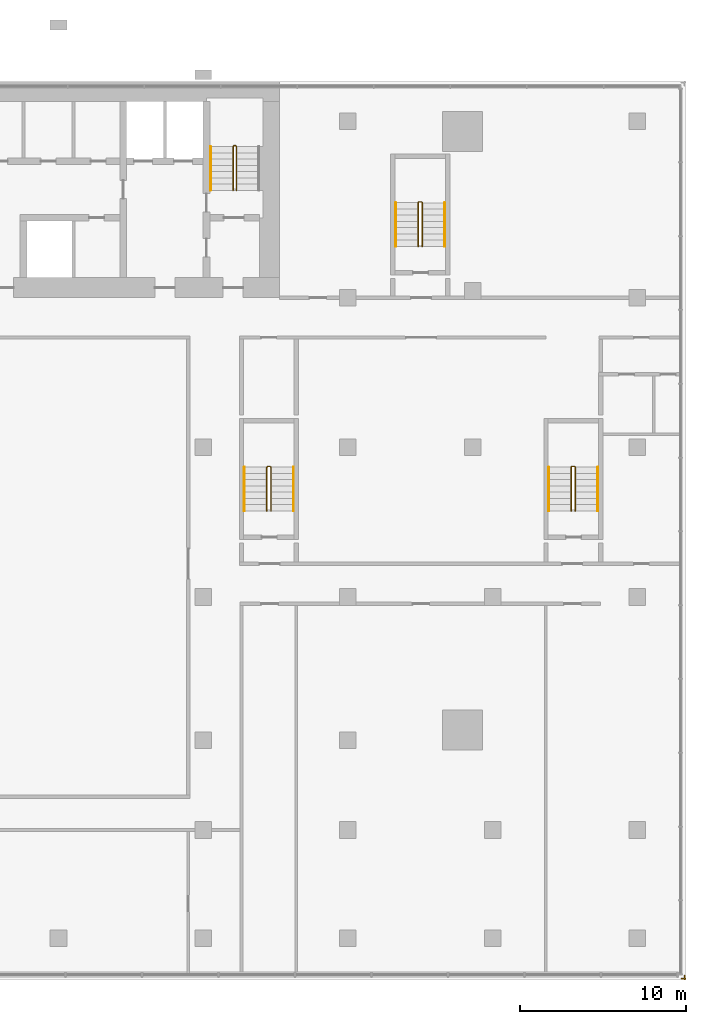
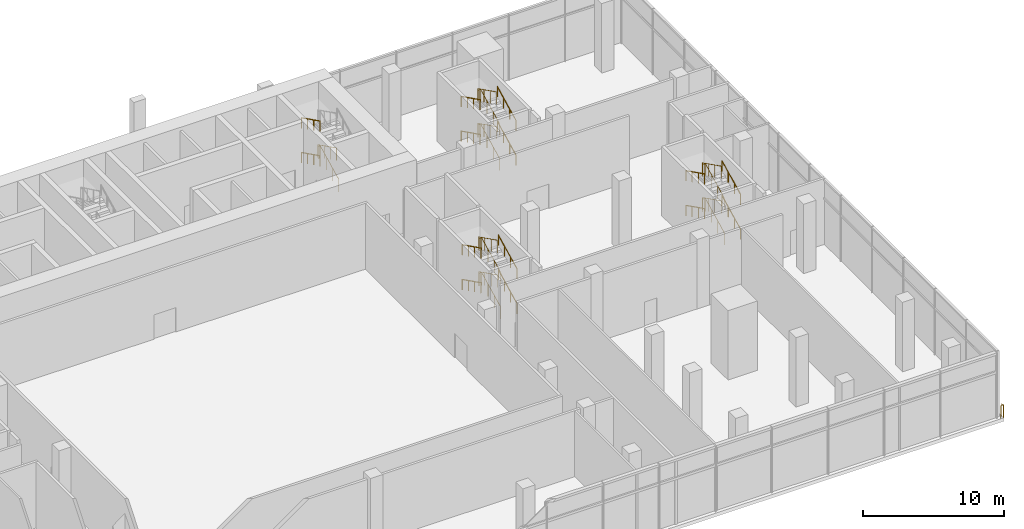
# One storey, part 20 of 21: 22 railings.
"""IFC4 building model written with IfcOpenShell, lengths in metres."""

from ifc_helpers import new_model, si_unit, direction, frame, origin, origin_2d, place, context, subcontext, project, spatial, circle, extrude, material, type_object, element, save


model = new_model("IFC4")

# Units and contexts
model_context = context("Model", 3, precision=1e-05, world=origin(), true_north=direction((0.0, 1.0)))
body_context = subcontext(model_context, "Body", "Model", "MODEL_VIEW")
ifc_project = project(units=[si_unit("LENGTHUNIT", "METRE"), si_unit("AREAUNIT", "SQUARE_METRE"), si_unit("VOLUMEUNIT", "CUBIC_METRE"), si_unit("PLANEANGLEUNIT", "RADIAN"), si_unit("MASSUNIT", "GRAM", prefix="KILO")], contexts=[model_context])

# Site, building, storey
site_placement = place(None, origin())
site = spatial("IfcSite", under=ifc_project, at=site_placement, CompositionType="ELEMENT")
building_placement = place(site_placement, origin())
building = spatial("IfcBuilding", under=site, at=building_placement, Name="Bicima Exchange Tower", CompositionType="ELEMENT")
storey_placement = place(building_placement, frame((0.0, 0.0, 8.0)))
storey = spatial("IfcBuildingStorey", under=building, at=storey_placement, Name="L01", CompositionType="ELEMENT", Elevation=8.0)

# Railings
ifc_material_1 = material(Name="Stainless steel and bonded safety glass", Category="steel")
railing_type_1 = type_object("IfcRailingType", Name="Edge guard 1100", PredefinedType="GUARDRAIL", material=ifc_material_1)
railing_1_placement = place(storey_placement, frame((46.35009765625, -53.75, 0.0)))
element("IfcRailing", 1, at=railing_1_placement, inside=storey, type_object=railing_type_1, Name="Edge guard L01 3", PredefinedType="GUARDRAIL", context=body_context, shape_type="SweptSolid", body=[
    extrude(circle(Radius=0.02392578125, at=origin_2d()), frame((0.0, 0.0, 1.076171875), z_axis=(0.0, -1.0, 0.0), x_axis=(1.0, 0.0, 0.0)), (0.0, 0.0, 1.0), 0.25),
    extrude(circle(Radius=0.02392578125, at=origin_2d()), frame((0.0, -0.25, 1.076171875), z_axis=(0.705375805398, 0.708833529934, 0.0), x_axis=(-0.708833529934, 0.705375805398, 0.0)), (0.0, 0.0, 1.0), 0.070556640625),
    extrude(circle(Radius=0.02392578125, at=origin_2d()), frame((0.0498046875, -0.199951171875, 1.076171875), z_axis=(-1.0, 0.0, 0.0), x_axis=(0.0, -1.0, 0.0)), (0.0, 0.0, 1.0), 0.2490234375),
    extrude(circle(Radius=0.02099609375, at=origin_2d()), origin(), (0.0, 0.0, 1.0), 1.052001953125),
    extrude(circle(Radius=0.02099609375, at=origin_2d()), frame((0.0, -0.25, 0.0)), (0.0, 0.0, 1.0), 1.052001953125),
    extrude(circle(Radius=0.02099609375, at=origin_2d()), frame((0.0498046875, -0.199951171875, 0.0)), (0.0, 0.0, 1.0), 1.052001953125),
    extrude(circle(Radius=0.02099609375, at=origin_2d()), frame((-0.19921875, -0.199951171875, 0.0)), (0.0, 0.0, 1.0), 1.052001953125),
])
ifc_material_2 = material(Name="Stainless steel", Category="steel")
railing_type_2 = type_object("IfcRailingType", Name="Stair guard 1100", PredefinedType="GUARDRAIL", material=ifc_material_2)
railing_2_placement = place(storey_placement, frame((19.39990234375, -6.550048828125, 0.1875)))
element("IfcRailing", 2, at=railing_2_placement, inside=storey, type_object=railing_type_2, Name="L01 ST-E stair guard 1", PredefinedType="GUARDRAIL", context=body_context, shape_type="SweptSolid", body=[
    extrude(circle(Radius=0.02392578125, at=origin_2d()), frame((0.0, 0.0, 1.076171875), z_axis=(0.0, 0.894775759346, 0.446515778543), x_axis=(-1.0, 0.0, 0.0)), (0.0, 0.0, 1.0), 2.939453125),
    extrude(circle(Radius=0.02392578125, at=origin_2d()), frame((0.0, 2.630126953125, 2.388671875), z_axis=(-0.707106781187, 0.707106781187, 0.0), x_axis=(-0.707106781187, -0.707106781187, 0.0)), (0.0, 0.0, 1.0), 0.0703125),
    extrude(circle(Radius=0.02392578125, at=origin_2d()), frame((-0.0498046875, 2.679931640625, 2.388671875), z_axis=(-1.0, 0.0, 0.0), x_axis=(0.0, -1.0, 0.0)), (0.0, 0.0, 1.0), 0.10009765625),
    extrude(circle(Radius=0.02392578125, at=origin_2d()), frame((-0.14990234375, 2.679931640625, 2.388671875), z_axis=(-0.249802250048, -0.248583702486, 0.935844527007), x_axis=(0.705375805398, -0.708833529934, 0.0)), (0.0, 0.0, 1.0), 0.200439453125),
    extrude(circle(Radius=0.02392578125, at=origin_2d()), frame((-0.199951171875, 2.630126953125, 2.576171875), z_axis=(0.0, -0.894775759346, 0.446515778543), x_axis=(1.0, 0.0, 0.0)), (0.0, 0.0, 1.0), 2.939453125),
    extrude(circle(Radius=0.02099609375, at=origin_2d()), origin(), (0.0, 0.0, 1.0), 1.052001953125),
    extrude(circle(Radius=0.02099609375, at=origin_2d()), frame((0.0, 0.876708984375, 0.4375)), (0.0, 0.0, 1.0), 1.052001953125),
    extrude(circle(Radius=0.02099609375, at=origin_2d()), frame((0.0, 1.75341796875, 0.875)), (0.0, 0.0, 1.0), 1.052001953125),
    extrude(circle(Radius=0.02099609375, at=origin_2d()), frame((0.0, 2.630126953125, 1.3125)), (0.0, 0.0, 1.0), 1.052001953125),
    extrude(circle(Radius=0.02099609375, at=origin_2d()), frame((-0.0498046875, 2.679931640625, 1.3125)), (0.0, 0.0, 1.0), 1.052001953125),
    extrude(circle(Radius=0.02099609375, at=origin_2d()), frame((-0.14990234375, 2.679931640625, 1.3125)), (0.0, 0.0, 1.0), 1.052001953125),
    extrude(circle(Radius=0.02099609375, at=origin_2d()), frame((-0.199951171875, 2.630126953125, 1.5)), (0.0, 0.0, 1.0), 1.052001953125),
    extrude(circle(Radius=0.02099609375, at=origin_2d()), frame((-0.199951171875, 1.75341796875, 1.9375)), (0.0, 0.0, 1.0), 1.052001953125),
    extrude(circle(Radius=0.02099609375, at=origin_2d()), frame((-0.199951171875, 0.876708984375, 2.375)), (0.0, 0.0, 1.0), 1.052001953125),
    extrude(circle(Radius=0.02099609375, at=origin_2d()), frame((-0.199951171875, 0.0, 2.8125)), (0.0, 0.0, 1.0), 1.052001953125),
])
railing_3_placement = place(storey_placement, frame((30.574951171875, -9.925048828125, 0.1875)))
element("IfcRailing", 3, at=railing_3_placement, inside=storey, type_object=railing_type_2, Name="L01 ST-EE stair guard 1", PredefinedType="GUARDRAIL", context=body_context, shape_type="SweptSolid", body=[
    extrude(circle(Radius=0.02392578125, at=origin_2d()), frame((0.0, 0.0, 1.076171875), z_axis=(0.0, 0.894775759346, 0.446515778543), x_axis=(-1.0, 0.0, 0.0)), (0.0, 0.0, 1.0), 2.939453125),
    extrude(circle(Radius=0.02392578125, at=origin_2d()), frame((0.0, 2.630126953125, 2.388671875), z_axis=(-0.708833529934, 0.705375805398, 0.0), x_axis=(-0.705375805398, -0.708833529934, 0.0)), (0.0, 0.0, 1.0), 0.070556640625),
    extrude(circle(Radius=0.02392578125, at=origin_2d()), frame((-0.050048828125, 2.679931640625, 2.388671875), z_axis=(-1.0, 0.0, 0.0), x_axis=(0.0, -1.0, 0.0)), (0.0, 0.0, 1.0), 0.14990234375),
    extrude(circle(Radius=0.02392578125, at=origin_2d()), frame((-0.199951171875, 2.679931640625, 2.388671875), z_axis=(-0.249802250048, -0.248583702486, 0.935844527007), x_axis=(0.705375805398, -0.708833529934, 0.0)), (0.0, 0.0, 1.0), 0.200439453125),
    extrude(circle(Radius=0.02392578125, at=origin_2d()), frame((-0.25, 2.630126953125, 2.576171875), z_axis=(0.0, -0.894775759346, 0.446515778543), x_axis=(1.0, 0.0, 0.0)), (0.0, 0.0, 1.0), 2.939453125),
    extrude(circle(Radius=0.02099609375, at=origin_2d()), origin(), (0.0, 0.0, 1.0), 1.052001953125),
    extrude(circle(Radius=0.02099609375, at=origin_2d()), frame((0.0, 0.876708984375, 0.4375)), (0.0, 0.0, 1.0), 1.052001953125),
    extrude(circle(Radius=0.02099609375, at=origin_2d()), frame((0.0, 1.75341796875, 0.875)), (0.0, 0.0, 1.0), 1.052001953125),
    extrude(circle(Radius=0.02099609375, at=origin_2d()), frame((0.0, 2.630126953125, 1.3125)), (0.0, 0.0, 1.0), 1.052001953125),
    extrude(circle(Radius=0.02099609375, at=origin_2d()), frame((-0.050048828125, 2.679931640625, 1.3125)), (0.0, 0.0, 1.0), 1.052001953125),
    extrude(circle(Radius=0.02099609375, at=origin_2d()), frame((-0.199951171875, 2.679931640625, 1.3125)), (0.0, 0.0, 1.0), 1.052001953125),
    extrude(circle(Radius=0.02099609375, at=origin_2d()), frame((-0.25, 2.630126953125, 1.5)), (0.0, 0.0, 1.0), 1.052001953125),
    extrude(circle(Radius=0.02099609375, at=origin_2d()), frame((-0.25, 1.75341796875, 1.9375)), (0.0, 0.0, 1.0), 1.052001953125),
    extrude(circle(Radius=0.02099609375, at=origin_2d()), frame((-0.25, 0.876708984375, 2.375)), (0.0, 0.0, 1.0), 1.052001953125),
    extrude(circle(Radius=0.02099609375, at=origin_2d()), frame((-0.25, 0.0, 2.8125)), (0.0, 0.0, 1.0), 1.052001953125),
])
railing_4_placement = place(storey_placement, frame((30.574951171875, -9.925048828125, 3.1875)))
element("IfcRailing", 4, at=railing_4_placement, inside=storey, type_object=railing_type_2, Name="L01 ST-EE stair guard 2", PredefinedType="GUARDRAIL", context=body_context, shape_type="SweptSolid", body=[
    extrude(circle(Radius=0.02392578125, at=origin_2d()), frame((0.0, 0.0, 1.076171875), z_axis=(0.0, 0.894775759346, 0.446515778543), x_axis=(-1.0, 0.0, 0.0)), (0.0, 0.0, 1.0), 2.939453125),
    extrude(circle(Radius=0.02392578125, at=origin_2d()), frame((0.0, 2.630126953125, 2.388671875), z_axis=(-0.708833529934, 0.705375805398, 0.0), x_axis=(-0.705375805398, -0.708833529934, 0.0)), (0.0, 0.0, 1.0), 0.070556640625),
    extrude(circle(Radius=0.02392578125, at=origin_2d()), frame((-0.050048828125, 2.679931640625, 2.388671875), z_axis=(-1.0, 0.0, 0.0), x_axis=(0.0, -1.0, 0.0)), (0.0, 0.0, 1.0), 0.14990234375),
    extrude(circle(Radius=0.02392578125, at=origin_2d()), frame((-0.199951171875, 2.679931640625, 2.388671875), z_axis=(-0.249802250048, -0.248583702486, 0.935844527007), x_axis=(0.705375805398, -0.708833529934, 0.0)), (0.0, 0.0, 1.0), 0.200439453125),
    extrude(circle(Radius=0.02392578125, at=origin_2d()), frame((-0.25, 2.630126953125, 2.576171875), z_axis=(0.0, -0.894775759346, 0.446515778543), x_axis=(1.0, 0.0, 0.0)), (0.0, 0.0, 1.0), 2.939453125),
    extrude(circle(Radius=0.02099609375, at=origin_2d()), origin(), (0.0, 0.0, 1.0), 1.052001953125),
    extrude(circle(Radius=0.02099609375, at=origin_2d()), frame((0.0, 0.876708984375, 0.4375)), (0.0, 0.0, 1.0), 1.052001953125),
    extrude(circle(Radius=0.02099609375, at=origin_2d()), frame((0.0, 1.75341796875, 0.875)), (0.0, 0.0, 1.0), 1.052001953125),
    extrude(circle(Radius=0.02099609375, at=origin_2d()), frame((0.0, 2.630126953125, 1.3125)), (0.0, 0.0, 1.0), 1.052001953125),
    extrude(circle(Radius=0.02099609375, at=origin_2d()), frame((-0.050048828125, 2.679931640625, 1.3125)), (0.0, 0.0, 1.0), 1.052001953125),
    extrude(circle(Radius=0.02099609375, at=origin_2d()), frame((-0.199951171875, 2.679931640625, 1.3125)), (0.0, 0.0, 1.0), 1.052001953125),
    extrude(circle(Radius=0.02099609375, at=origin_2d()), frame((-0.25, 2.630126953125, 1.5)), (0.0, 0.0, 1.0), 1.052001953125),
    extrude(circle(Radius=0.02099609375, at=origin_2d()), frame((-0.25, 1.75341796875, 1.9375)), (0.0, 0.0, 1.0), 1.052001953125),
    extrude(circle(Radius=0.02099609375, at=origin_2d()), frame((-0.25, 0.876708984375, 2.375)), (0.0, 0.0, 1.0), 1.052001953125),
    extrude(circle(Radius=0.02099609375, at=origin_2d()), frame((-0.25, 0.0, 2.8125)), (0.0, 0.0, 1.0), 1.052001953125),
])
railing_5_placement = place(storey_placement, frame((21.47509765625, -25.824951171875, 0.1875)))
element("IfcRailing", 5, at=railing_5_placement, inside=storey, type_object=railing_type_2, Name="L01 PS-EI stair guard 1", PredefinedType="GUARDRAIL", context=body_context, shape_type="SweptSolid", body=[
    extrude(circle(Radius=0.02392578125, at=origin_2d()), frame((0.0, 0.0, 1.076171875), z_axis=(0.0, 0.894759197849, 0.446548964689), x_axis=(-1.0, 0.0, 0.0)), (0.0, 0.0, 1.0), 2.939208984375),
    extrude(circle(Radius=0.02392578125, at=origin_2d()), frame((0.0, 2.6298828125, 2.388671875), z_axis=(-0.707106781187, 0.707106781187, 0.0), x_axis=(-0.707106781187, -0.707106781187, 0.0)), (0.0, 0.0, 1.0), 0.07080078125),
    extrude(circle(Radius=0.02392578125, at=origin_2d()), frame((-0.050048828125, 2.679931640625, 2.388671875), z_axis=(-1.0, 0.0, 0.0), x_axis=(0.0, -1.0, 0.0)), (0.0, 0.0, 1.0), 0.150146484375),
    extrude(circle(Radius=0.02392578125, at=origin_2d()), frame((-0.2001953125, 2.679931640625, 2.388671875), z_axis=(-0.248583702486, -0.249802250048, 0.935844527007), x_axis=(0.708833529934, -0.705375805398, 0.0)), (0.0, 0.0, 1.0), 0.200439453125),
    extrude(circle(Radius=0.02392578125, at=origin_2d()), frame((-0.25, 2.6298828125, 2.576171875), z_axis=(0.0, -0.894759197849, 0.446548964689), x_axis=(1.0, 0.0, 0.0)), (0.0, 0.0, 1.0), 2.939208984375),
    extrude(circle(Radius=0.02099609375, at=origin_2d()), origin(), (0.0, 0.0, 1.0), 1.052001953125),
    extrude(circle(Radius=0.02099609375, at=origin_2d()), frame((0.0, 0.876708984375, 0.4375)), (0.0, 0.0, 1.0), 1.052001953125),
    extrude(circle(Radius=0.02099609375, at=origin_2d()), frame((0.0, 1.753173828125, 0.875)), (0.0, 0.0, 1.0), 1.052001953125),
    extrude(circle(Radius=0.02099609375, at=origin_2d()), frame((0.0, 2.6298828125, 1.3125)), (0.0, 0.0, 1.0), 1.052001953125),
    extrude(circle(Radius=0.02099609375, at=origin_2d()), frame((-0.050048828125, 2.679931640625, 1.3125)), (0.0, 0.0, 1.0), 1.052001953125),
    extrude(circle(Radius=0.02099609375, at=origin_2d()), frame((-0.2001953125, 2.679931640625, 1.3125)), (0.0, 0.0, 1.0), 1.052001953125),
    extrude(circle(Radius=0.02099609375, at=origin_2d()), frame((-0.25, 2.6298828125, 1.5)), (0.0, 0.0, 1.0), 1.052001953125),
    extrude(circle(Radius=0.02099609375, at=origin_2d()), frame((-0.25, 1.753173828125, 1.9375)), (0.0, 0.0, 1.0), 1.052001953125),
    extrude(circle(Radius=0.02099609375, at=origin_2d()), frame((-0.25, 0.876708984375, 2.375)), (0.0, 0.0, 1.0), 1.052001953125),
    extrude(circle(Radius=0.02099609375, at=origin_2d()), frame((-0.25, 0.0, 2.8125)), (0.0, 0.0, 1.0), 1.052001953125),
])
railing_6_placement = place(storey_placement, frame((21.47509765625, -25.824951171875, 3.1875)))
element("IfcRailing", 6, at=railing_6_placement, inside=storey, type_object=railing_type_2, Name="L01 PS-EI stair guard 2", PredefinedType="GUARDRAIL", context=body_context, shape_type="SweptSolid", body=[
    extrude(circle(Radius=0.02392578125, at=origin_2d()), frame((0.0, 0.0, 1.076171875), z_axis=(0.0, 0.894759197849, 0.446548964689), x_axis=(-1.0, 0.0, 0.0)), (0.0, 0.0, 1.0), 2.939208984375),
    extrude(circle(Radius=0.02392578125, at=origin_2d()), frame((0.0, 2.6298828125, 2.388671875), z_axis=(-0.707106781187, 0.707106781187, 0.0), x_axis=(-0.707106781187, -0.707106781187, 0.0)), (0.0, 0.0, 1.0), 0.07080078125),
    extrude(circle(Radius=0.02392578125, at=origin_2d()), frame((-0.050048828125, 2.679931640625, 2.388671875), z_axis=(-1.0, 0.0, 0.0), x_axis=(0.0, -1.0, 0.0)), (0.0, 0.0, 1.0), 0.150146484375),
    extrude(circle(Radius=0.02392578125, at=origin_2d()), frame((-0.2001953125, 2.679931640625, 2.388671875), z_axis=(-0.248583702486, -0.249802250048, 0.935844527007), x_axis=(0.708833529934, -0.705375805398, 0.0)), (0.0, 0.0, 1.0), 0.200439453125),
    extrude(circle(Radius=0.02392578125, at=origin_2d()), frame((-0.25, 2.6298828125, 2.576171875), z_axis=(0.0, -0.894759197849, 0.446548964689), x_axis=(1.0, 0.0, 0.0)), (0.0, 0.0, 1.0), 2.939208984375),
    extrude(circle(Radius=0.02099609375, at=origin_2d()), origin(), (0.0, 0.0, 1.0), 1.052001953125),
    extrude(circle(Radius=0.02099609375, at=origin_2d()), frame((0.0, 0.876708984375, 0.4375)), (0.0, 0.0, 1.0), 1.052001953125),
    extrude(circle(Radius=0.02099609375, at=origin_2d()), frame((0.0, 1.753173828125, 0.875)), (0.0, 0.0, 1.0), 1.052001953125),
    extrude(circle(Radius=0.02099609375, at=origin_2d()), frame((0.0, 2.6298828125, 1.3125)), (0.0, 0.0, 1.0), 1.052001953125),
    extrude(circle(Radius=0.02099609375, at=origin_2d()), frame((-0.050048828125, 2.679931640625, 1.3125)), (0.0, 0.0, 1.0), 1.052001953125),
    extrude(circle(Radius=0.02099609375, at=origin_2d()), frame((-0.2001953125, 2.679931640625, 1.3125)), (0.0, 0.0, 1.0), 1.052001953125),
    extrude(circle(Radius=0.02099609375, at=origin_2d()), frame((-0.25, 2.6298828125, 1.5)), (0.0, 0.0, 1.0), 1.052001953125),
    extrude(circle(Radius=0.02099609375, at=origin_2d()), frame((-0.25, 1.753173828125, 1.9375)), (0.0, 0.0, 1.0), 1.052001953125),
    extrude(circle(Radius=0.02099609375, at=origin_2d()), frame((-0.25, 0.876708984375, 2.375)), (0.0, 0.0, 1.0), 1.052001953125),
    extrude(circle(Radius=0.02099609375, at=origin_2d()), frame((-0.25, 0.0, 2.8125)), (0.0, 0.0, 1.0), 1.052001953125),
])
railing_7_placement = place(storey_placement, frame((39.77490234375, -25.824951171875, 0.1875)))
element("IfcRailing", 7, at=railing_7_placement, inside=storey, type_object=railing_type_2, Name="L01 PS-E stair guard 1", PredefinedType="GUARDRAIL", context=body_context, shape_type="SweptSolid", body=[
    extrude(circle(Radius=0.02392578125, at=origin_2d()), frame((0.0, 0.0, 1.076171875), z_axis=(0.0, 0.894759197849, 0.446548964689), x_axis=(-1.0, 0.0, 0.0)), (0.0, 0.0, 1.0), 2.939208984375),
    extrude(circle(Radius=0.02392578125, at=origin_2d()), frame((0.0, 2.6298828125, 2.388671875), z_axis=(-0.705375805398, 0.708833529934, 0.0), x_axis=(-0.708833529934, -0.705375805398, 0.0)), (0.0, 0.0, 1.0), 0.070556640625),
    extrude(circle(Radius=0.02392578125, at=origin_2d()), frame((-0.0498046875, 2.679931640625, 2.388671875), z_axis=(-1.0, 0.0, 0.0), x_axis=(0.0, -1.0, 0.0)), (0.0, 0.0, 1.0), 0.150146484375),
    extrude(circle(Radius=0.02392578125, at=origin_2d()), frame((-0.199951171875, 2.679931640625, 2.388671875), z_axis=(-0.249726431254, -0.249726431254, 0.935560483917), x_axis=(0.707106781187, -0.707106781187, 0.0)), (0.0, 0.0, 1.0), 0.200439453125),
    extrude(circle(Radius=0.02392578125, at=origin_2d()), frame((-0.25, 2.6298828125, 2.576171875), z_axis=(0.0, -0.894759197849, 0.446548964689), x_axis=(1.0, 0.0, 0.0)), (0.0, 0.0, 1.0), 2.939208984375),
    extrude(circle(Radius=0.02099609375, at=origin_2d()), origin(), (0.0, 0.0, 1.0), 1.052001953125),
    extrude(circle(Radius=0.02099609375, at=origin_2d()), frame((0.0, 0.876708984375, 0.4375)), (0.0, 0.0, 1.0), 1.052001953125),
    extrude(circle(Radius=0.02099609375, at=origin_2d()), frame((0.0, 1.753173828125, 0.875)), (0.0, 0.0, 1.0), 1.052001953125),
    extrude(circle(Radius=0.02099609375, at=origin_2d()), frame((0.0, 2.6298828125, 1.3125)), (0.0, 0.0, 1.0), 1.052001953125),
    extrude(circle(Radius=0.02099609375, at=origin_2d()), frame((-0.0498046875, 2.679931640625, 1.3125)), (0.0, 0.0, 1.0), 1.052001953125),
    extrude(circle(Radius=0.02099609375, at=origin_2d()), frame((-0.199951171875, 2.679931640625, 1.3125)), (0.0, 0.0, 1.0), 1.052001953125),
    extrude(circle(Radius=0.02099609375, at=origin_2d()), frame((-0.25, 2.6298828125, 1.5)), (0.0, 0.0, 1.0), 1.052001953125),
    extrude(circle(Radius=0.02099609375, at=origin_2d()), frame((-0.25, 1.753173828125, 1.9375)), (0.0, 0.0, 1.0), 1.052001953125),
    extrude(circle(Radius=0.02099609375, at=origin_2d()), frame((-0.25, 0.876708984375, 2.375)), (0.0, 0.0, 1.0), 1.052001953125),
    extrude(circle(Radius=0.02099609375, at=origin_2d()), frame((-0.25, 0.0, 2.8125)), (0.0, 0.0, 1.0), 1.052001953125),
])
railing_8_placement = place(storey_placement, frame((39.77490234375, -25.824951171875, 3.1875)))
element("IfcRailing", 8, at=railing_8_placement, inside=storey, type_object=railing_type_2, Name="L01 PS-E stair guard 2", PredefinedType="GUARDRAIL", context=body_context, shape_type="SweptSolid", body=[
    extrude(circle(Radius=0.02392578125, at=origin_2d()), frame((0.0, 0.0, 1.076171875), z_axis=(0.0, 0.894759197849, 0.446548964689), x_axis=(-1.0, 0.0, 0.0)), (0.0, 0.0, 1.0), 2.939208984375),
    extrude(circle(Radius=0.02392578125, at=origin_2d()), frame((0.0, 2.6298828125, 2.388671875), z_axis=(-0.705375805398, 0.708833529934, 0.0), x_axis=(-0.708833529934, -0.705375805398, 0.0)), (0.0, 0.0, 1.0), 0.070556640625),
    extrude(circle(Radius=0.02392578125, at=origin_2d()), frame((-0.0498046875, 2.679931640625, 2.388671875), z_axis=(-1.0, 0.0, 0.0), x_axis=(0.0, -1.0, 0.0)), (0.0, 0.0, 1.0), 0.150146484375),
    extrude(circle(Radius=0.02392578125, at=origin_2d()), frame((-0.199951171875, 2.679931640625, 2.388671875), z_axis=(-0.249726431254, -0.249726431254, 0.935560483917), x_axis=(0.707106781187, -0.707106781187, 0.0)), (0.0, 0.0, 1.0), 0.200439453125),
    extrude(circle(Radius=0.02392578125, at=origin_2d()), frame((-0.25, 2.6298828125, 2.576171875), z_axis=(0.0, -0.894759197849, 0.446548964689), x_axis=(1.0, 0.0, 0.0)), (0.0, 0.0, 1.0), 2.939208984375),
    extrude(circle(Radius=0.02099609375, at=origin_2d()), origin(), (0.0, 0.0, 1.0), 1.052001953125),
    extrude(circle(Radius=0.02099609375, at=origin_2d()), frame((0.0, 0.876708984375, 0.4375)), (0.0, 0.0, 1.0), 1.052001953125),
    extrude(circle(Radius=0.02099609375, at=origin_2d()), frame((0.0, 1.753173828125, 0.875)), (0.0, 0.0, 1.0), 1.052001953125),
    extrude(circle(Radius=0.02099609375, at=origin_2d()), frame((0.0, 2.6298828125, 1.3125)), (0.0, 0.0, 1.0), 1.052001953125),
    extrude(circle(Radius=0.02099609375, at=origin_2d()), frame((-0.0498046875, 2.679931640625, 1.3125)), (0.0, 0.0, 1.0), 1.052001953125),
    extrude(circle(Radius=0.02099609375, at=origin_2d()), frame((-0.199951171875, 2.679931640625, 1.3125)), (0.0, 0.0, 1.0), 1.052001953125),
    extrude(circle(Radius=0.02099609375, at=origin_2d()), frame((-0.25, 2.6298828125, 1.5)), (0.0, 0.0, 1.0), 1.052001953125),
    extrude(circle(Radius=0.02099609375, at=origin_2d()), frame((-0.25, 1.753173828125, 1.9375)), (0.0, 0.0, 1.0), 1.052001953125),
    extrude(circle(Radius=0.02099609375, at=origin_2d()), frame((-0.25, 0.876708984375, 2.375)), (0.0, 0.0, 1.0), 1.052001953125),
    extrude(circle(Radius=0.02099609375, at=origin_2d()), frame((-0.25, 0.0, 2.8125)), (0.0, 0.0, 1.0), 1.052001953125),
])
railing_type_3 = type_object("IfcRailingType", Name="Stair handrail 900", PredefinedType="HANDRAIL", material=ifc_material_2)
for number, where, name in (
    (9, (17.85009765625, -3.919921875, 1.6875), "L01 ST-E stair handrail 2"),
    (10, (17.85009765625, -3.919921875, 4.6875), "L01 ST-E stair handrail 4"),
):
    element("IfcRailing", number, at=place(storey_placement, frame(where)), inside=storey, type_object=railing_type_3, Name=name, PredefinedType="HANDRAIL", context=body_context, shape_type="SweptSolid", body=[
        extrude(circle(Radius=0.02392578125, at=origin_2d()), frame((0.0, 0.0, 0.8759765625), z_axis=(0.0, -0.894775759346, 0.446515778543), x_axis=(1.0, 0.0, 0.0)), (0.0, 0.0, 1.0), 2.939453125),
        extrude(circle(Radius=0.02099609375, at=origin_2d()), origin(), (0.0, 0.0, 1.0), 0.851806640625),
        extrude(circle(Radius=0.02099609375, at=origin_2d()), frame((0.0, -0.876708984375, 0.4375)), (0.0, 0.0, 1.0), 0.851806640625),
        extrude(circle(Radius=0.02099609375, at=origin_2d()), frame((0.0, -1.75341796875, 0.875)), (0.0, 0.0, 1.0), 0.851806640625),
        extrude(circle(Radius=0.02099609375, at=origin_2d()), frame((0.0, -2.630126953125, 1.3125)), (0.0, 0.0, 1.0), 0.851806640625),
    ])
railing_9_placement = place(storey_placement, frame((31.925048828125, -9.925048828125, 0.1875)))
element("IfcRailing", 11, at=railing_9_placement, inside=storey, type_object=railing_type_3, Name="L01 ST-EE stair handrail 1", PredefinedType="HANDRAIL", context=body_context, shape_type="SweptSolid", body=[
    extrude(circle(Radius=0.02392578125, at=origin_2d()), frame((0.0, 0.0, 0.8759765625), z_axis=(0.0, 0.894775759346, 0.446515778543), x_axis=(-1.0, 0.0, 0.0)), (0.0, 0.0, 1.0), 2.939453125),
    extrude(circle(Radius=0.02099609375, at=origin_2d()), origin(), (0.0, 0.0, 1.0), 0.851806640625),
    extrude(circle(Radius=0.02099609375, at=origin_2d()), frame((0.0, 0.876708984375, 0.4375)), (0.0, 0.0, 1.0), 0.851806640625),
    extrude(circle(Radius=0.02099609375, at=origin_2d()), frame((0.0, 1.75341796875, 0.875)), (0.0, 0.0, 1.0), 0.851806640625),
    extrude(circle(Radius=0.02099609375, at=origin_2d()), frame((0.0, 2.630126953125, 1.3125)), (0.0, 0.0, 1.0), 0.851806640625),
])
railing_10_placement = place(storey_placement, frame((28.97509765625, -7.294921875, 1.6875)))
element("IfcRailing", 12, at=railing_10_placement, inside=storey, type_object=railing_type_3, Name="L01 ST-EE stair handrail 2", PredefinedType="HANDRAIL", context=body_context, shape_type="SweptSolid", body=[
    extrude(circle(Radius=0.02392578125, at=origin_2d()), frame((0.0, 0.0, 0.8759765625), z_axis=(0.0, -0.894775759346, 0.446515778543), x_axis=(1.0, 0.0, 0.0)), (0.0, 0.0, 1.0), 2.939453125),
    extrude(circle(Radius=0.02099609375, at=origin_2d()), origin(), (0.0, 0.0, 1.0), 0.851806640625),
    extrude(circle(Radius=0.02099609375, at=origin_2d()), frame((0.0, -0.876708984375, 0.4375)), (0.0, 0.0, 1.0), 0.851806640625),
    extrude(circle(Radius=0.02099609375, at=origin_2d()), frame((0.0, -1.75341796875, 0.875)), (0.0, 0.0, 1.0), 0.851806640625),
    extrude(circle(Radius=0.02099609375, at=origin_2d()), frame((0.0, -2.630126953125, 1.3125)), (0.0, 0.0, 1.0), 0.851806640625),
])
railing_11_placement = place(storey_placement, frame((31.925048828125, -9.925048828125, 3.1875)))
element("IfcRailing", 13, at=railing_11_placement, inside=storey, type_object=railing_type_3, Name="L01 ST-EE stair handrail 3", PredefinedType="HANDRAIL", context=body_context, shape_type="SweptSolid", body=[
    extrude(circle(Radius=0.02392578125, at=origin_2d()), frame((0.0, 0.0, 0.8759765625), z_axis=(0.0, 0.894775759346, 0.446515778543), x_axis=(-1.0, 0.0, 0.0)), (0.0, 0.0, 1.0), 2.939453125),
    extrude(circle(Radius=0.02099609375, at=origin_2d()), origin(), (0.0, 0.0, 1.0), 0.851806640625),
    extrude(circle(Radius=0.02099609375, at=origin_2d()), frame((0.0, 0.876708984375, 0.4375)), (0.0, 0.0, 1.0), 0.851806640625),
    extrude(circle(Radius=0.02099609375, at=origin_2d()), frame((0.0, 1.75341796875, 0.875)), (0.0, 0.0, 1.0), 0.851806640625),
    extrude(circle(Radius=0.02099609375, at=origin_2d()), frame((0.0, 2.630126953125, 1.3125)), (0.0, 0.0, 1.0), 0.851806640625),
])
railing_12_placement = place(storey_placement, frame((28.97509765625, -7.294921875, 4.6875)))
element("IfcRailing", 14, at=railing_12_placement, inside=storey, type_object=railing_type_3, Name="L01 ST-EE stair handrail 4", PredefinedType="HANDRAIL", context=body_context, shape_type="SweptSolid", body=[
    extrude(circle(Radius=0.02392578125, at=origin_2d()), frame((0.0, 0.0, 0.8759765625), z_axis=(0.0, -0.894775759346, 0.446515778543), x_axis=(1.0, 0.0, 0.0)), (0.0, 0.0, 1.0), 2.939453125),
    extrude(circle(Radius=0.02099609375, at=origin_2d()), origin(), (0.0, 0.0, 1.0), 0.851806640625),
    extrude(circle(Radius=0.02099609375, at=origin_2d()), frame((0.0, -0.876708984375, 0.4375)), (0.0, 0.0, 1.0), 0.851806640625),
    extrude(circle(Radius=0.02099609375, at=origin_2d()), frame((0.0, -1.75341796875, 0.875)), (0.0, 0.0, 1.0), 0.851806640625),
    extrude(circle(Radius=0.02099609375, at=origin_2d()), frame((0.0, -2.630126953125, 1.3125)), (0.0, 0.0, 1.0), 0.851806640625),
])
railing_13_placement = place(storey_placement, frame((22.824951171875, -25.824951171875, 0.1875)))
element("IfcRailing", 15, at=railing_13_placement, inside=storey, type_object=railing_type_3, Name="L01 PS-EI stair handrail 1", PredefinedType="HANDRAIL", context=body_context, shape_type="SweptSolid", body=[
    extrude(circle(Radius=0.02392578125, at=origin_2d()), frame((0.0, 0.0, 0.8759765625), z_axis=(0.0, 0.894759197849, 0.446548964689), x_axis=(-1.0, 0.0, 0.0)), (0.0, 0.0, 1.0), 2.939208984375),
    extrude(circle(Radius=0.02099609375, at=origin_2d()), origin(), (0.0, 0.0, 1.0), 0.851806640625),
    extrude(circle(Radius=0.02099609375, at=origin_2d()), frame((0.0, 0.876708984375, 0.4375)), (0.0, 0.0, 1.0), 0.851806640625),
    extrude(circle(Radius=0.02099609375, at=origin_2d()), frame((0.0, 1.753173828125, 0.875)), (0.0, 0.0, 1.0), 0.851806640625),
    extrude(circle(Radius=0.02099609375, at=origin_2d()), frame((0.0, 2.6298828125, 1.3125)), (0.0, 0.0, 1.0), 0.851806640625),
])
railing_14_placement = place(storey_placement, frame((19.875, -23.195068359375, 1.6875)))
element("IfcRailing", 16, at=railing_14_placement, inside=storey, type_object=railing_type_3, Name="L01 PS-EI stair handrail 2", PredefinedType="HANDRAIL", context=body_context, shape_type="SweptSolid", body=[
    extrude(circle(Radius=0.02392578125, at=origin_2d()), frame((0.0, 0.0, 0.8759765625), z_axis=(0.0, -0.894759197849, 0.446548964689), x_axis=(1.0, 0.0, 0.0)), (0.0, 0.0, 1.0), 2.939208984375),
    extrude(circle(Radius=0.02099609375, at=origin_2d()), origin(), (0.0, 0.0, 1.0), 0.851806640625),
    extrude(circle(Radius=0.02099609375, at=origin_2d()), frame((0.0, -0.876708984375, 0.4375)), (0.0, 0.0, 1.0), 0.851806640625),
    extrude(circle(Radius=0.02099609375, at=origin_2d()), frame((0.0, -1.753173828125, 0.875)), (0.0, 0.0, 1.0), 0.851806640625),
    extrude(circle(Radius=0.02099609375, at=origin_2d()), frame((0.0, -2.6298828125, 1.3125)), (0.0, 0.0, 1.0), 0.851806640625),
])
railing_15_placement = place(storey_placement, frame((22.824951171875, -25.824951171875, 3.1875)))
element("IfcRailing", 17, at=railing_15_placement, inside=storey, type_object=railing_type_3, Name="L01 PS-EI stair handrail 3", PredefinedType="HANDRAIL", context=body_context, shape_type="SweptSolid", body=[
    extrude(circle(Radius=0.02392578125, at=origin_2d()), frame((0.0, 0.0, 0.8759765625), z_axis=(0.0, 0.894759197849, 0.446548964689), x_axis=(-1.0, 0.0, 0.0)), (0.0, 0.0, 1.0), 2.939208984375),
    extrude(circle(Radius=0.02099609375, at=origin_2d()), origin(), (0.0, 0.0, 1.0), 0.851806640625),
    extrude(circle(Radius=0.02099609375, at=origin_2d()), frame((0.0, 0.876708984375, 0.4375)), (0.0, 0.0, 1.0), 0.851806640625),
    extrude(circle(Radius=0.02099609375, at=origin_2d()), frame((0.0, 1.753173828125, 0.875)), (0.0, 0.0, 1.0), 0.851806640625),
    extrude(circle(Radius=0.02099609375, at=origin_2d()), frame((0.0, 2.6298828125, 1.3125)), (0.0, 0.0, 1.0), 0.851806640625),
])
railing_16_placement = place(storey_placement, frame((19.875, -23.195068359375, 4.6875)))
element("IfcRailing", 18, at=railing_16_placement, inside=storey, type_object=railing_type_3, Name="L01 PS-EI stair handrail 4", PredefinedType="HANDRAIL", context=body_context, shape_type="SweptSolid", body=[
    extrude(circle(Radius=0.02392578125, at=origin_2d()), frame((0.0, 0.0, 0.8759765625), z_axis=(0.0, -0.894759197849, 0.446548964689), x_axis=(1.0, 0.0, 0.0)), (0.0, 0.0, 1.0), 2.939208984375),
    extrude(circle(Radius=0.02099609375, at=origin_2d()), origin(), (0.0, 0.0, 1.0), 0.851806640625),
    extrude(circle(Radius=0.02099609375, at=origin_2d()), frame((0.0, -0.876708984375, 0.4375)), (0.0, 0.0, 1.0), 0.851806640625),
    extrude(circle(Radius=0.02099609375, at=origin_2d()), frame((0.0, -1.753173828125, 0.875)), (0.0, 0.0, 1.0), 0.851806640625),
    extrude(circle(Radius=0.02099609375, at=origin_2d()), frame((0.0, -2.6298828125, 1.3125)), (0.0, 0.0, 1.0), 0.851806640625),
])
railing_17_placement = place(storey_placement, frame((41.125, -25.824951171875, 0.1875)))
element("IfcRailing", 19, at=railing_17_placement, inside=storey, type_object=railing_type_3, Name="L01 PS-E stair handrail 1", PredefinedType="HANDRAIL", context=body_context, shape_type="SweptSolid", body=[
    extrude(circle(Radius=0.02392578125, at=origin_2d()), frame((0.0, 0.0, 0.8759765625), z_axis=(0.0, 0.894759197849, 0.446548964689), x_axis=(-1.0, 0.0, 0.0)), (0.0, 0.0, 1.0), 2.939208984375),
    extrude(circle(Radius=0.02099609375, at=origin_2d()), origin(), (0.0, 0.0, 1.0), 0.851806640625),
    extrude(circle(Radius=0.02099609375, at=origin_2d()), frame((0.0, 0.876708984375, 0.4375)), (0.0, 0.0, 1.0), 0.851806640625),
    extrude(circle(Radius=0.02099609375, at=origin_2d()), frame((0.0, 1.753173828125, 0.875)), (0.0, 0.0, 1.0), 0.851806640625),
    extrude(circle(Radius=0.02099609375, at=origin_2d()), frame((0.0, 2.6298828125, 1.3125)), (0.0, 0.0, 1.0), 0.851806640625),
])
railing_18_placement = place(storey_placement, frame((38.175048828125, -23.195068359375, 1.6875)))
element("IfcRailing", 20, at=railing_18_placement, inside=storey, type_object=railing_type_3, Name="L01 PS-E stair handrail 2", PredefinedType="HANDRAIL", context=body_context, shape_type="SweptSolid", body=[
    extrude(circle(Radius=0.02392578125, at=origin_2d()), frame((0.0, 0.0, 0.8759765625), z_axis=(0.0, -0.894759197849, 0.446548964689), x_axis=(1.0, 0.0, 0.0)), (0.0, 0.0, 1.0), 2.939208984375),
    extrude(circle(Radius=0.02099609375, at=origin_2d()), origin(), (0.0, 0.0, 1.0), 0.851806640625),
    extrude(circle(Radius=0.02099609375, at=origin_2d()), frame((0.0, -0.876708984375, 0.4375)), (0.0, 0.0, 1.0), 0.851806640625),
    extrude(circle(Radius=0.02099609375, at=origin_2d()), frame((0.0, -1.753173828125, 0.875)), (0.0, 0.0, 1.0), 0.851806640625),
    extrude(circle(Radius=0.02099609375, at=origin_2d()), frame((0.0, -2.6298828125, 1.3125)), (0.0, 0.0, 1.0), 0.851806640625),
])
railing_19_placement = place(storey_placement, frame((41.125, -25.824951171875, 3.1875)))
element("IfcRailing", 21, at=railing_19_placement, inside=storey, type_object=railing_type_3, Name="L01 PS-E stair handrail 3", PredefinedType="HANDRAIL", context=body_context, shape_type="SweptSolid", body=[
    extrude(circle(Radius=0.02392578125, at=origin_2d()), frame((0.0, 0.0, 0.8759765625), z_axis=(0.0, 0.894759197849, 0.446548964689), x_axis=(-1.0, 0.0, 0.0)), (0.0, 0.0, 1.0), 2.939208984375),
    extrude(circle(Radius=0.02099609375, at=origin_2d()), origin(), (0.0, 0.0, 1.0), 0.851806640625),
    extrude(circle(Radius=0.02099609375, at=origin_2d()), frame((0.0, 0.876708984375, 0.4375)), (0.0, 0.0, 1.0), 0.851806640625),
    extrude(circle(Radius=0.02099609375, at=origin_2d()), frame((0.0, 1.753173828125, 0.875)), (0.0, 0.0, 1.0), 0.851806640625),
    extrude(circle(Radius=0.02099609375, at=origin_2d()), frame((0.0, 2.6298828125, 1.3125)), (0.0, 0.0, 1.0), 0.851806640625),
])
railing_20_placement = place(storey_placement, frame((38.175048828125, -23.195068359375, 4.6875)))
element("IfcRailing", 22, at=railing_20_placement, inside=storey, type_object=railing_type_3, Name="L01 PS-E stair handrail 4", PredefinedType="HANDRAIL", context=body_context, shape_type="SweptSolid", body=[
    extrude(circle(Radius=0.02392578125, at=origin_2d()), frame((0.0, 0.0, 0.8759765625), z_axis=(0.0, -0.894759197849, 0.446548964689), x_axis=(1.0, 0.0, 0.0)), (0.0, 0.0, 1.0), 2.939208984375),
    extrude(circle(Radius=0.02099609375, at=origin_2d()), origin(), (0.0, 0.0, 1.0), 0.851806640625),
    extrude(circle(Radius=0.02099609375, at=origin_2d()), frame((0.0, -0.876708984375, 0.4375)), (0.0, 0.0, 1.0), 0.851806640625),
    extrude(circle(Radius=0.02099609375, at=origin_2d()), frame((0.0, -1.753173828125, 0.875)), (0.0, 0.0, 1.0), 0.851806640625),
    extrude(circle(Radius=0.02099609375, at=origin_2d()), frame((0.0, -2.6298828125, 1.3125)), (0.0, 0.0, 1.0), 0.851806640625),
])

save(model, "model.ifc")
